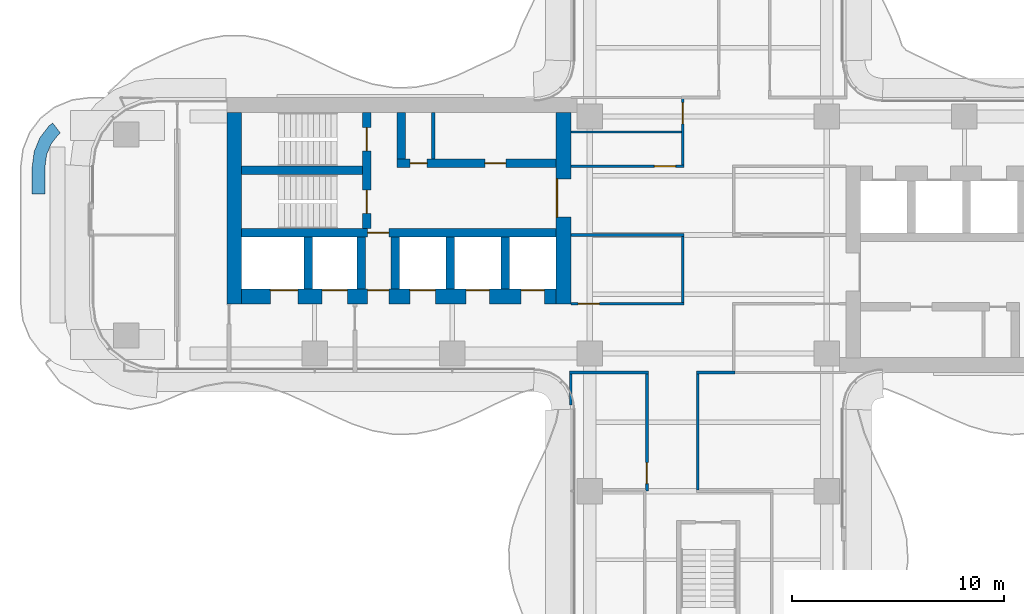
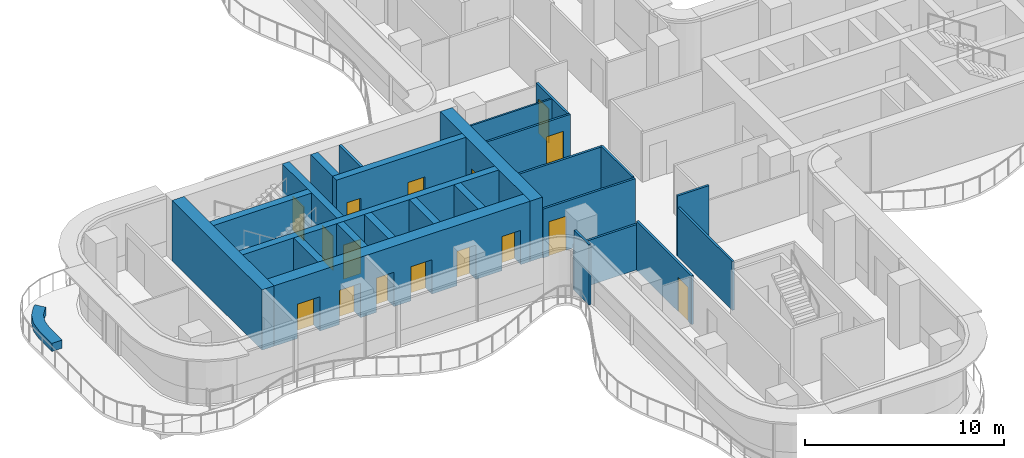
# One storey, part 12 of 17: 26 walls, 16 doors, 16 openings.
"""IFC4 building model written with IfcOpenShell, lengths in metres."""

from ifc_helpers import new_model, si_unit, direction, frame, frame_2d, origin, place, context, subcontext, project, spatial, polyline, rectangle, outline, extrude, source, transform, mapped, material, layer, layer_set, type_object, element, fill, save


model = new_model("IFC4")

# Units and contexts
model_context = context("Model", 3, precision=1e-05, world=origin(), true_north=direction((0.0, 1.0)))
body_context = subcontext(model_context, "Body", "Model", "MODEL_VIEW")
ifc_project = project(units=[si_unit("LENGTHUNIT", "METRE"), si_unit("AREAUNIT", "SQUARE_METRE"), si_unit("VOLUMEUNIT", "CUBIC_METRE"), si_unit("PLANEANGLEUNIT", "RADIAN"), si_unit("MASSUNIT", "GRAM", prefix="KILO")], contexts=[model_context])

# Site, building, storey
site_placement = place(None, origin())
site = spatial("IfcSite", under=ifc_project, at=site_placement, CompositionType="ELEMENT")
building_placement = place(site_placement, origin())
building = spatial("IfcBuilding", under=site, at=building_placement, Name="Trellis Farm Tower", CompositionType="ELEMENT")
storey_placement = place(building_placement, frame((0.0, 0.0, 162.0)))
storey = spatial("IfcBuildingStorey", under=building, at=storey_placement, Name="L34", CompositionType="ELEMENT", Elevation=162.0)

# Wall
ifc_material_1 = material(Name="Sandstone faced masonry planter", Category="masonry")
ifc_layer_1 = layer(ifc_material_1, 0.60009765625)
ifc_layer_set_1 = layer_set([ifc_layer_1], Name="PLANTER BED 600")
wall_type_1 = type_object("IfcWallType", Name="PLANTER BED 600", PredefinedType="USERDEFINED", material=ifc_layer_set_1)
wall_1_placement = place(storey_placement, origin())
element("IfcWall", 1, at=wall_1_placement, inside=storey, type_object=wall_type_1, Name="PLANTER bed", ObjectType="PLANTER", PredefinedType="USERDEFINED", context=body_context, shape_type="SweptSolid", body=[
    extrude(outline(polyline([(-31.853515625, 3.947509765625), (-31.584228515625, 4.59765625), (-31.15576171875, 5.15576171875), (-30.980224609375, 5.29052734375), (-30.614990234375, 4.814697265625), (-30.727783203125, 4.727783203125), (-31.06005859375, 4.294921875), (-31.268798828125, 3.791015625), (-31.35009765625, 3.174560546875), (-31.35009765625, 1.929931640625), (-31.949951171875, 1.929931640625), (-31.949951171875, 3.214111328125), (-31.853515625, 3.947509765625)])), origin(), (0.0, 0.0, 1.0), 0.5),
])

# Wall, opening, door
ifc_material_2 = material(Name="Concrete C70/85", Category="concrete")
ifc_layer_2 = layer(ifc_material_2, 0.699951171875)
ifc_layer_set_2 = layer_set([ifc_layer_2], Name="CORE OUTER WALL 700 CONCRETE C70/85")
wall_type_2 = type_object("IfcWallType", Name="CORE OUTER WALL 700 CONCRETE C70/85", PredefinedType="SHEAR", material=ifc_layer_set_2)
shared_shape_1 = source(origin(), body_context, "Body", "SweptSolid", [
    extrude(rectangle(XDim=9.050048828125, YDim=0.699951171875, at=frame_2d((4.52490234375, 0.0))), origin(), (0.0, 0.0, 1.0), 3.699951171875),
])
wall_2_placement = place(storey_placement, frame((-6.85009765625, 5.800048828125, 0.0), z_axis=(0.0, 0.0, 1.0), x_axis=(0.0, -1.0, 0.0)))
wall_2 = element("IfcWall", 2, at=wall_2_placement, inside=storey, type_object=wall_type_2, Name="Core wall", PredefinedType="SHEAR", context=body_context, shape_type="MappedRepresentation", body=[
    mapped(shared_shape_1, transform((0.0, 0.0, 0.0))),
])
shared_shape_2 = source(origin(), body_context, "Body", "SweptSolid", [
    extrude(rectangle(XDim=1.800048828125, YDim=2.10009765625, at=frame_2d((0.89990234375, 1.050048828125))), frame((0.0, 0.360107421875, 0.0), z_axis=(0.0, -1.0, 0.0), x_axis=(1.0, 0.0, 0.0)), (0.0, 0.0, 1.0), 0.72021484375),
])
opening_1_placement = place(wall_2_placement, frame((3.14990234375, 0.0, 0.0)))
opening_1 = element("IfcOpeningElement", 3, at=opening_1_placement, cuts=wall_2, Name="Opening DC87", PredefinedType="OPENING", context=body_context, shape_type="MappedRepresentation", body=[
    mapped(shared_shape_2, transform((0.0, 0.0, 0.0))),
])
ifc_material_3 = material(Name="Steel", Category="steel")
door_type_1 = type_object("IfcDoorType", Name="CORE FIRE DOOR DOUBLE 1800 X 2100", OperationType="DOUBLE_DOOR_SINGLE_SWING", PredefinedType="DOOR", material=ifc_material_3)
shared_shape_3 = source(origin(), body_context, "Body", "SweptSolid", [
    extrude(rectangle(XDim=1.800048828125, YDim=2.10009765625, at=frame_2d((0.89990234375, 1.050048828125))), frame((0.0, -0.27490234375, 0.0), z_axis=(0.0, -1.0, 0.0), x_axis=(1.0, 0.0, 0.0)), (0.0, 0.0, 1.0), 0.050048828125),
])
door_1_placement = place(opening_1_placement, origin())
door_1 = element("IfcDoor", 4, at=door_1_placement, inside=storey, type_object=door_type_1, Name="Core door", OperationType="DOUBLE_DOOR_SINGLE_SWING", OverallHeight=2.10009765625, OverallWidth=1.800048828125, PredefinedType="DOOR", context=body_context, shape_type="MappedRepresentation", body=[
    mapped(shared_shape_3, transform((0.0, 0.0, 0.0))),
])
fill(opening_1, door_1)

# Walls
wall_3_placement = place(storey_placement, frame((-22.39990234375, 5.800048828125, 0.0), z_axis=(0.0, 0.0, 1.0), x_axis=(0.0, -1.0, 0.0)))
element("IfcWall", 5, at=wall_3_placement, inside=storey, type_object=wall_type_2, Name="Core wall", PredefinedType="SHEAR", context=body_context, shape_type="MappedRepresentation", body=[
    mapped(shared_shape_1, transform((0.0, 0.0, 0.0))),
])
ifc_layer_3 = layer(ifc_material_2, 0.39990234375)
ifc_layer_set_3 = layer_set([ifc_layer_3], Name="CORE INNER WALL 400 CONCRETE C70/85")
wall_type_3 = type_object("IfcWallType", Name="CORE INNER WALL 400 CONCRETE C70/85", PredefinedType="SHEAR", material=ifc_layer_set_3)
shared_shape_4 = source(origin(), body_context, "Body", "SweptSolid", [
    extrude(rectangle(XDim=2.449951171875, YDim=0.39990234375, at=frame_2d((1.22509765625, 0.0))), origin(), (0.0, 0.0, 1.0), 3.699951171875),
])
for number, where, z_axis, x_axis, name in (
    (6, (-9.60009765625, -0.10009765625, 0.0), (0.0, 0.0, 1.0), (0.0, -1.0, 0.0), "Core wall"),
    (7, (-12.199951171875, -0.10009765625, 0.0), (0.0, 0.0, 1.0), (0.0, -1.0, 0.0), "Core wall"),
    (8, (-14.800048828125, -0.10009765625, 0.0), (0.0, 0.0, 1.0), (0.0, -1.0, 0.0), "Core wall"),
    (9, (-16.39990234375, -0.10009765625, 0.0), (0.0, 0.0, 1.0), (0.0, -1.0, 0.0), "Core wall"),
    (10, (-18.89990234375, -0.10009765625, 0.0), (0.0, 0.0, 1.0), (0.0, -1.0, 0.0), "Core wall"),
):
    element("IfcWall", number, at=place(storey_placement, frame(where, z_axis=z_axis, x_axis=x_axis)), inside=storey, type_object=wall_type_3, Name=name, PredefinedType="SHEAR", context=body_context, shape_type="MappedRepresentation", body=[
        mapped(shared_shape_4, transform((0.0, 0.0, 0.0))),
    ])

# Wall, openings, doors
shared_shape_5 = source(origin(), body_context, "Body", "SweptSolid", [
    extrude(rectangle(XDim=14.85009765625, YDim=0.699951171875, at=frame_2d((7.425048828125, 0.0))), origin(), (0.0, 0.0, 1.0), 3.699951171875),
])
wall_4_placement = place(storey_placement, frame((-7.199951171875, -2.89990234375, 0.0), z_axis=(0.0, 0.0, 1.0), x_axis=(-1.0, 0.0, 0.0)))
wall_4 = element("IfcWall", 11, at=wall_4_placement, inside=storey, type_object=wall_type_2, Name="Core wall", PredefinedType="SHEAR", context=body_context, shape_type="MappedRepresentation", body=[
    mapped(shared_shape_5, transform((0.0, 0.0, 0.0))),
])
shared_shape_6 = source(origin(), body_context, "Body", "SweptSolid", [
    extrude(rectangle(XDim=1.10009765625, YDim=2.10009765625, at=frame_2d((0.550048828125, 1.050048828125))), frame((0.0, 0.360107421875, 0.0), z_axis=(0.0, -1.0, 0.0), x_axis=(1.0, 0.0, 0.0)), (0.0, 0.0, 1.0), 0.72021484375),
])
opening_2_placement = place(wall_4_placement, frame((0.550048828125, 0.0, 0.0)))
opening_2 = element("IfcOpeningElement", 12, at=opening_2_placement, cuts=wall_4, Name="Opening LD12", PredefinedType="OPENING", context=body_context, shape_type="MappedRepresentation", body=[
    mapped(shared_shape_6, transform((0.0, 0.0, 0.0))),
])
opening_3_placement = place(wall_4_placement, frame((3.14990234375, 0.0, 0.0)))
opening_3 = element("IfcOpeningElement", 13, at=opening_3_placement, cuts=wall_4, Name="Opening LD13", PredefinedType="OPENING", context=body_context, shape_type="MappedRepresentation", body=[
    mapped(shared_shape_6, transform((0.0, 0.0, 0.0))),
])
shared_shape_7 = source(origin(), body_context, "Body", "SweptSolid", [
    extrude(rectangle(XDim=1.199951171875, YDim=2.10009765625, at=frame_2d((0.60009765625, 1.050048828125))), frame((0.0, 0.360107421875, 0.0), z_axis=(0.0, -1.0, 0.0), x_axis=(1.0, 0.0, 0.0)), (0.0, 0.0, 1.0), 0.72021484375),
])
opening_4_placement = place(wall_4_placement, frame((5.699951171875, 0.0, 0.0)))
opening_4 = element("IfcOpeningElement", 14, at=opening_4_placement, cuts=wall_4, Name="Opening LD14", PredefinedType="OPENING", context=body_context, shape_type="MappedRepresentation", body=[
    mapped(shared_shape_7, transform((0.0, 0.0, 0.0))),
])
shared_shape_8 = source(origin(), body_context, "Body", "SweptSolid", [
    extrude(rectangle(XDim=1.300048828125, YDim=2.10009765625, at=frame_2d((0.64990234375, 1.050048828125))), frame((0.0, 0.360107421875, 0.0), z_axis=(0.0, -1.0, 0.0), x_axis=(1.0, 0.0, 0.0)), (0.0, 0.0, 1.0), 0.72021484375),
])
opening_5_placement = place(wall_4_placement, frame((12.199951171875, 0.0, 0.0)))
opening_5 = element("IfcOpeningElement", 15, at=opening_5_placement, cuts=wall_4, Name="Opening LD15", PredefinedType="OPENING", context=body_context, shape_type="MappedRepresentation", body=[
    mapped(shared_shape_8, transform((0.0, 0.0, 0.0))),
])
opening_6_placement = place(wall_4_placement, frame((9.85009765625, 0.0, 0.0)))
opening_6 = element("IfcOpeningElement", 16, at=opening_6_placement, cuts=wall_4, Name="Opening LD16", PredefinedType="OPENING", context=body_context, shape_type="MappedRepresentation", body=[
    mapped(shared_shape_7, transform((0.0, 0.0, 0.0))),
])
shared_shape_9 = source(origin(), body_context, "Body", "SweptSolid", [
    extrude(rectangle(XDim=1.0, YDim=2.10009765625, at=frame_2d((0.5, 1.050048828125))), frame((0.0, 0.360107421875, 0.0), z_axis=(0.0, -1.0, 0.0), x_axis=(1.0, 0.0, 0.0)), (0.0, 0.0, 1.0), 0.72021484375),
])
opening_7_placement = place(wall_4_placement, frame((7.89990234375, 0.0, 0.0)))
opening_7 = element("IfcOpeningElement", 17, at=opening_7_placement, cuts=wall_4, Name="Opening DC92", PredefinedType="OPENING", context=body_context, shape_type="MappedRepresentation", body=[
    mapped(shared_shape_9, transform((0.0, 0.0, 0.0))),
])
door_type_2 = type_object("IfcDoorType", Name="CORE FIRE DOOR 1000 X 2100", OperationType="NOTDEFINED", PredefinedType="DOOR", material=ifc_material_3)
shared_shape_10 = source(origin(), body_context, "Body", "SweptSolid", [
    extrude(rectangle(XDim=1.0, YDim=2.10009765625, at=frame_2d((0.5, 1.050048828125))), frame((0.0, -0.27490234375, 0.0), z_axis=(0.0, -1.0, 0.0), x_axis=(1.0, 0.0, 0.0)), (0.0, 0.0, 1.0), 0.050048828125),
])
door_2_placement = place(opening_7_placement, origin())
door_2 = element("IfcDoor", 18, at=door_2_placement, inside=storey, type_object=door_type_2, Name="Core door", OperationType="SINGLE_SWING_LEFT", OverallHeight=2.10009765625, OverallWidth=1.0, PredefinedType="DOOR", context=body_context, shape_type="MappedRepresentation", body=[
    mapped(shared_shape_10, transform((0.0, 0.0, 0.0))),
])
fill(opening_7, door_2)
ifc_material_4 = material(Name="Stainless steel", Category="steel")
door_type_3 = type_object("IfcDoorType", Name="LIFT LANDING DOOR 1300 X 2100", OperationType="DOUBLE_DOOR_SLIDING", PredefinedType="DOOR", material=ifc_material_4)
shared_shape_11 = source(origin(), body_context, "Body", "SweptSolid", [
    extrude(rectangle(XDim=1.300048828125, YDim=2.10009765625, at=frame_2d((0.64990234375, 1.050048828125))), frame((0.0, -0.27490234375, 0.0), z_axis=(0.0, -1.0, 0.0), x_axis=(1.0, 0.0, 0.0)), (0.0, 0.0, 1.0), 0.050048828125),
])
door_3_placement = place(opening_5_placement, origin())
door_3 = element("IfcDoor", 19, at=door_3_placement, inside=storey, type_object=door_type_3, Name="Lift landing door", OperationType="DOUBLE_DOOR_SLIDING", OverallHeight=2.10009765625, OverallWidth=1.300048828125, PredefinedType="DOOR", context=body_context, shape_type="MappedRepresentation", body=[
    mapped(shared_shape_11, transform((0.0, 0.0, 0.0))),
])
fill(opening_5, door_3)
door_type_4 = type_object("IfcDoorType", Name="LIFT LANDING DOOR 1200 X 2100", OperationType="DOUBLE_DOOR_SLIDING", PredefinedType="DOOR", material=ifc_material_4)
shared_shape_12 = source(origin(), body_context, "Body", "SweptSolid", [
    extrude(rectangle(XDim=1.199951171875, YDim=2.10009765625, at=frame_2d((0.60009765625, 1.050048828125))), frame((0.0, -0.27490234375, 0.0), z_axis=(0.0, -1.0, 0.0), x_axis=(1.0, 0.0, 0.0)), (0.0, 0.0, 1.0), 0.050048828125),
])
door_4_placement = place(opening_4_placement, origin())
door_4 = element("IfcDoor", 20, at=door_4_placement, inside=storey, type_object=door_type_4, Name="Lift landing door", OperationType="DOUBLE_DOOR_SLIDING", OverallHeight=2.10009765625, OverallWidth=1.199951171875, PredefinedType="DOOR", context=body_context, shape_type="MappedRepresentation", body=[
    mapped(shared_shape_12, transform((0.0, 0.0, 0.0))),
])
fill(opening_4, door_4)
door_5_placement = place(opening_6_placement, origin())
door_5 = element("IfcDoor", 21, at=door_5_placement, inside=storey, type_object=door_type_4, Name="Lift landing door", OperationType="DOUBLE_DOOR_SLIDING", OverallHeight=2.10009765625, OverallWidth=1.199951171875, PredefinedType="DOOR", context=body_context, shape_type="MappedRepresentation", body=[
    mapped(shared_shape_12, transform((0.0, 0.0, 0.0))),
])
fill(opening_6, door_5)
door_type_5 = type_object("IfcDoorType", Name="LIFT LANDING DOOR 1100 X 2100", OperationType="DOUBLE_DOOR_SLIDING", PredefinedType="DOOR", material=ifc_material_4)
shared_shape_13 = source(origin(), body_context, "Body", "SweptSolid", [
    extrude(rectangle(XDim=1.10009765625, YDim=2.10009765625, at=frame_2d((0.550048828125, 1.050048828125))), frame((0.0, -0.27490234375, 0.0), z_axis=(0.0, -1.0, 0.0), x_axis=(1.0, 0.0, 0.0)), (0.0, 0.0, 1.0), 0.050048828125),
])
door_6_placement = place(opening_2_placement, origin())
door_6 = element("IfcDoor", 22, at=door_6_placement, inside=storey, type_object=door_type_5, Name="Lift landing door", OperationType="DOUBLE_DOOR_SLIDING", OverallHeight=2.10009765625, OverallWidth=1.10009765625, PredefinedType="DOOR", context=body_context, shape_type="MappedRepresentation", body=[
    mapped(shared_shape_13, transform((0.0, 0.0, 0.0))),
])
fill(opening_2, door_6)
door_7_placement = place(opening_3_placement, origin())
door_7 = element("IfcDoor", 23, at=door_7_placement, inside=storey, type_object=door_type_5, Name="Lift landing door", OperationType="DOUBLE_DOOR_SLIDING", OverallHeight=2.10009765625, OverallWidth=1.10009765625, PredefinedType="DOOR", context=body_context, shape_type="MappedRepresentation", body=[
    mapped(shared_shape_13, transform((0.0, 0.0, 0.0))),
])
fill(opening_3, door_7)

shared_shape_14 = source(origin(), body_context, "Body", "SweptSolid", [
    extrude(rectangle(XDim=7.5, YDim=0.39990234375, at=frame_2d((3.75, 0.0))), origin(), (0.0, 0.0, 1.0), 3.699951171875),
])
wall_5_placement = place(storey_placement, frame((-7.199951171875, 3.39990234375, 0.0), z_axis=(0.0, 0.0, 1.0), x_axis=(-1.0, 0.0, 0.0)))
wall_5 = element("IfcWall", 24, at=wall_5_placement, inside=storey, type_object=wall_type_3, Name="Core wall", PredefinedType="SHEAR", context=body_context, shape_type="MappedRepresentation", body=[
    mapped(shared_shape_14, transform((0.0, 0.0, 0.0))),
])
shared_shape_15 = source(origin(), body_context, "Body", "SweptSolid", [
    extrude(rectangle(XDim=1.0, YDim=2.10009765625, at=frame_2d((0.5, 1.050048828125))), frame((0.0, 0.2099609375, 0.0), z_axis=(0.0, -1.0, 0.0), x_axis=(1.0, 0.0, 0.0)), (0.0, 0.0, 1.0), 0.419921875),
])
opening_8_placement = place(wall_5_placement, frame((2.362548828125, 0.0, 0.0)))
opening_8 = element("IfcOpeningElement", 25, at=opening_8_placement, cuts=wall_5, Name="Opening DC141", PredefinedType="OPENING", context=body_context, shape_type="MappedRepresentation", body=[
    mapped(shared_shape_15, transform((0.0, 0.0, 0.0))),
])
shared_shape_16 = source(origin(), body_context, "Body", "SweptSolid", [
    extrude(rectangle(XDim=0.800048828125, YDim=2.10009765625, at=frame_2d((0.39990234375, 1.050048828125))), frame((0.0, 0.2099609375, 0.0), z_axis=(0.0, -1.0, 0.0), x_axis=(1.0, 0.0, 0.0)), (0.0, 0.0, 1.0), 0.419921875),
])
opening_9_placement = place(wall_5_placement, frame((6.08740234375, 0.0, 0.0)))
opening_9 = element("IfcOpeningElement", 26, at=opening_9_placement, cuts=wall_5, Name="Opening DC144", PredefinedType="OPENING", context=body_context, shape_type="MappedRepresentation", body=[
    mapped(shared_shape_16, transform((0.0, 0.0, 0.0))),
])
shared_shape_17 = source(origin(), body_context, "Body", "SweptSolid", [
    extrude(rectangle(XDim=1.0, YDim=2.10009765625, at=frame_2d((0.5, 1.050048828125))), frame((0.0, 0.02490234375, 0.0), z_axis=(0.0, -1.0, 0.0), x_axis=(1.0, 0.0, 0.0)), (0.0, 0.0, 1.0), 0.050048828125),
])
door_8_placement = place(opening_8_placement, origin())
door_8 = element("IfcDoor", 27, at=door_8_placement, inside=storey, type_object=door_type_2, Name="Core door", OperationType="SINGLE_SWING_LEFT", OverallHeight=2.10009765625, OverallWidth=1.0, PredefinedType="DOOR", context=body_context, shape_type="MappedRepresentation", body=[
    mapped(shared_shape_17, transform((0.0, 0.0, 0.0))),
])
fill(opening_8, door_8)
door_type_6 = type_object("IfcDoorType", Name="CORE FIRE DOOR 800 X 2100", OperationType="NOTDEFINED", PredefinedType="DOOR", material=ifc_material_3)
shared_shape_18 = source(origin(), body_context, "Body", "SweptSolid", [
    extrude(rectangle(XDim=0.800048828125, YDim=2.10009765625, at=frame_2d((0.39990234375, 1.050048828125))), frame((0.0, 0.02490234375, 0.0), z_axis=(0.0, -1.0, 0.0), x_axis=(1.0, 0.0, 0.0)), (0.0, 0.0, 1.0), 0.050048828125),
])
door_9_placement = place(opening_9_placement, origin())
door_9 = element("IfcDoor", 28, at=door_9_placement, inside=storey, type_object=door_type_6, Name="Core door", OperationType="SINGLE_SWING_RIGHT", OverallHeight=2.10009765625, OverallWidth=0.800048828125, PredefinedType="DOOR", context=body_context, shape_type="MappedRepresentation", body=[
    mapped(shared_shape_18, transform((0.0, 0.0, 0.0))),
])
fill(opening_9, door_9)

# Wall, opening, door
shared_shape_19 = source(origin(), body_context, "Body", "SweptSolid", [
    extrude(rectangle(XDim=14.85009765625, YDim=0.39990234375, at=frame_2d((7.425048828125, 0.0))), origin(), (0.0, 0.0, 1.0), 3.699951171875),
])
wall_6_placement = place(storey_placement, frame((-7.199951171875, 0.10009765625, 0.0), z_axis=(0.0, 0.0, 1.0), x_axis=(-1.0, 0.0, 0.0)))
wall_6 = element("IfcWall", 29, at=wall_6_placement, inside=storey, type_object=wall_type_3, Name="Core wall", PredefinedType="SHEAR", context=body_context, shape_type="MappedRepresentation", body=[
    mapped(shared_shape_19, transform((0.0, 0.0, 0.0))),
])
opening_10_placement = place(wall_6_placement, frame((7.89990234375, 0.0, 0.0)))
opening_10 = element("IfcOpeningElement", 30, at=opening_10_placement, cuts=wall_6, Name="Opening DC91", PredefinedType="OPENING", context=body_context, shape_type="MappedRepresentation", body=[
    mapped(shared_shape_15, transform((0.0, 0.0, 0.0))),
])
door_10_placement = place(opening_10_placement, origin())
door_10 = element("IfcDoor", 31, at=door_10_placement, inside=storey, type_object=door_type_2, Name="Core door", OperationType="SINGLE_SWING_RIGHT", OverallHeight=2.10009765625, OverallWidth=1.0, PredefinedType="DOOR", context=body_context, shape_type="MappedRepresentation", body=[
    mapped(shared_shape_17, transform((0.0, 0.0, 0.0))),
])
fill(opening_10, door_10)

# Wall, openings, doors
shared_shape_20 = source(origin(), body_context, "Body", "SweptSolid", [
    extrude(rectangle(XDim=5.5, YDim=0.39990234375, at=frame_2d((2.75, 0.0))), origin(), (0.0, 0.0, 1.0), 3.699951171875),
])
wall_7_placement = place(storey_placement, frame((-16.14990234375, 5.800048828125, 0.0), z_axis=(0.0, 0.0, 1.0), x_axis=(0.0, -1.0, 0.0)))
wall_7 = element("IfcWall", 32, at=wall_7_placement, inside=storey, type_object=wall_type_3, Name="Core wall", PredefinedType="SHEAR", context=body_context, shape_type="MappedRepresentation", body=[
    mapped(shared_shape_20, transform((0.0, 0.0, 0.0))),
])
shared_shape_21 = source(origin(), body_context, "Body", "SweptSolid", [
    extrude(rectangle(XDim=1.10009765625, YDim=2.10009765625, at=frame_2d((0.550048828125, 1.050048828125))), frame((0.0, 0.2099609375, 0.0), z_axis=(0.0, -1.0, 0.0), x_axis=(1.0, 0.0, 0.0)), (0.0, 0.0, 1.0), 0.419921875),
])
opening_11_placement = place(wall_7_placement, frame((0.72509765625, 0.0, 0.0)))
opening_11 = element("IfcOpeningElement", 33, at=opening_11_placement, cuts=wall_7, Name="Opening DC88", PredefinedType="OPENING", context=body_context, shape_type="MappedRepresentation", body=[
    mapped(shared_shape_21, transform((0.0, 0.0, 0.0))),
])
opening_12_placement = place(wall_7_placement, frame((3.675048828125, 0.0, 0.0)))
opening_12 = element("IfcOpeningElement", 34, at=opening_12_placement, cuts=wall_7, Name="Opening DC89", PredefinedType="OPENING", context=body_context, shape_type="MappedRepresentation", body=[
    mapped(shared_shape_21, transform((0.0, 0.0, 0.0))),
])
door_type_7 = type_object("IfcDoorType", Name="CORE FIRE DOOR 1100 X 2100", OperationType="NOTDEFINED", PredefinedType="DOOR", material=ifc_material_3)
shared_shape_22 = source(origin(), body_context, "Body", "SweptSolid", [
    extrude(rectangle(XDim=1.10009765625, YDim=2.10009765625, at=frame_2d((0.550048828125, 1.050048828125))), frame((0.0, 0.02490234375, 0.0), z_axis=(0.0, -1.0, 0.0), x_axis=(1.0, 0.0, 0.0)), (0.0, 0.0, 1.0), 0.050048828125),
])
door_11_placement = place(opening_11_placement, origin())
door_11 = element("IfcDoor", 35, at=door_11_placement, inside=storey, type_object=door_type_7, Name="Core door", OperationType="SINGLE_SWING_RIGHT", OverallHeight=2.10009765625, OverallWidth=1.10009765625, PredefinedType="DOOR", context=body_context, shape_type="MappedRepresentation", body=[
    mapped(shared_shape_22, transform((0.0, 0.0, 0.0))),
])
fill(opening_11, door_11)
door_12_placement = place(opening_12_placement, origin())
door_12 = element("IfcDoor", 36, at=door_12_placement, inside=storey, type_object=door_type_7, Name="Core door", OperationType="SINGLE_SWING_LEFT", OverallHeight=2.10009765625, OverallWidth=1.10009765625, PredefinedType="DOOR", context=body_context, shape_type="MappedRepresentation", body=[
    mapped(shared_shape_22, transform((0.0, 0.0, 0.0))),
])
fill(opening_12, door_12)

# Walls
shared_shape_23 = source(origin(), body_context, "Body", "SweptSolid", [
    extrude(rectangle(XDim=5.699951171875, YDim=0.39990234375, at=frame_2d((2.85009765625, 0.0))), origin(), (0.0, 0.0, 1.0), 3.699951171875),
])
wall_8_placement = place(storey_placement, frame((-16.35009765625, 3.050048828125, 0.0), z_axis=(0.0, 0.0, 1.0), x_axis=(-1.0, 0.0, 0.0)))
element("IfcWall", 37, at=wall_8_placement, inside=storey, type_object=wall_type_3, Name="Core wall", PredefinedType="SHEAR", context=body_context, shape_type="MappedRepresentation", body=[
    mapped(shared_shape_23, transform((0.0, 0.0, 0.0))),
])
shared_shape_24 = source(origin(), body_context, "Body", "SweptSolid", [
    extrude(rectangle(XDim=2.199951171875, YDim=0.39990234375, at=frame_2d((1.10009765625, 0.0))), origin(), (0.0, 0.0, 1.0), 3.699951171875),
])
wall_9_placement = place(storey_placement, frame((-14.5, 5.800048828125, 0.0), z_axis=(0.0, 0.0, 1.0), x_axis=(0.0, -1.0, 0.0)))
element("IfcWall", 38, at=wall_9_placement, inside=storey, type_object=wall_type_3, Name="Core wall", PredefinedType="SHEAR", context=body_context, shape_type="MappedRepresentation", body=[
    mapped(shared_shape_24, transform((0.0, 0.0, 0.0))),
])
ifc_material_5 = material(Name="Masonry blockwork", Category="masonry")
ifc_layer_4 = layer(ifc_material_5, 0.14990234375)
ifc_layer_set_4 = layer_set([ifc_layer_4], Name="CORE PARTITION 150 BLOCKWORK")
wall_type_4 = type_object("IfcWallType", Name="CORE PARTITION 150 BLOCKWORK", PredefinedType="PARTITIONING", material=ifc_layer_set_4)
shared_shape_25 = source(origin(), body_context, "Body", "SweptSolid", [
    extrude(rectangle(XDim=2.199951171875, YDim=0.14990234375, at=frame_2d((1.10009765625, 0.0))), origin(), (0.0, 0.0, 1.0), 3.699951171875),
])
wall_10_placement = place(storey_placement, frame((-13.0, 5.800048828125, 0.0), z_axis=(0.0, 0.0, 1.0), x_axis=(0.0, -1.0, 0.0)))
element("IfcWall", 39, at=wall_10_placement, inside=storey, type_object=wall_type_4, Name="Core room partition", PredefinedType="PARTITIONING", context=body_context, shape_type="MappedRepresentation", body=[
    mapped(shared_shape_25, transform((0.0, 0.0, 0.0))),
])
ifc_material_6 = material(Name="Plasterboard on steel studs, mineral wool", Category="steel")
ifc_layer_5 = layer(ifc_material_6, 0.125)
ifc_layer_set_5 = layer_set([ifc_layer_5], Name="PARTITION 125 STUD EI 60")
wall_type_5 = type_object("IfcWallType", Name="PARTITION 125 STUD EI 60", PredefinedType="PARTITIONING", material=ifc_layer_set_5)
shared_shape_26 = source(origin(), body_context, "Body", "SweptSolid", [
    extrude(rectangle(XDim=5.47509765625, YDim=0.125, at=frame_2d((2.737548828125, 0.0))), origin(), (0.0, 0.0, 1.0), 2.99658203125),
])
wall_11_placement = place(storey_placement, frame((-0.5, -6.5625, 0.0), z_axis=(0.0, 0.0, 1.0), x_axis=(0.0, -1.0, 0.0)))
element("IfcWall", 40, at=wall_11_placement, inside=storey, type_object=wall_type_5, Name="Partition PW1", PredefinedType="PARTITIONING", context=body_context, shape_type="MappedRepresentation", body=[
    mapped(shared_shape_26, transform((0.0, 0.0, 0.0))),
])

# Wall, opening, door
shared_shape_27 = source(origin(), body_context, "Body", "SweptSolid", [
    extrude(rectangle(XDim=3.137451171875, YDim=0.125, at=frame_2d((1.56884765625, 0.0))), origin(), (0.0, 0.0, 1.0), 2.99658203125),
])
wall_12_placement = place(storey_placement, frame((-1.199951171875, 6.449951171875, 0.0), z_axis=(0.0, 0.0, 1.0), x_axis=(0.0, -1.0, 0.0)))
wall_12 = element("IfcWall", 41, at=wall_12_placement, inside=storey, type_object=wall_type_5, Name="Partition PW1", PredefinedType="PARTITIONING", context=body_context, shape_type="MappedRepresentation", body=[
    mapped(shared_shape_27, transform((0.0, 0.0, 0.0))),
])
shared_shape_28 = source(origin(), body_context, "Body", "SweptSolid", [
    extrude(rectangle(XDim=1.0, YDim=2.10009765625, at=frame_2d((0.5, 1.050048828125))), frame((0.0, 0.072509765625, 0.0), z_axis=(0.0, -1.0, 0.0), x_axis=(1.0, 0.0, 0.0)), (0.0, 0.0, 1.0), 0.14501953125),
])
opening_13_placement = place(wall_12_placement, frame((0.199951171875, 0.0, 0.0)))
opening_13 = element("IfcOpeningElement", 42, at=opening_13_placement, cuts=wall_12, Name="Opening D108", PredefinedType="OPENING", context=body_context, shape_type="MappedRepresentation", body=[
    mapped(shared_shape_28, transform((0.0, 0.0, 0.0))),
])
ifc_material_7 = material(Name="Fire-rated timber door leaf in a hollow metal frame", Category="wood")
door_type_8 = type_object("IfcDoorType", Name="DOOR 1000x2100 FD30S", OperationType="NOTDEFINED", PredefinedType="DOOR", material=ifc_material_7)
door_13_placement = place(opening_13_placement, origin())
door_13 = element("IfcDoor", 43, at=door_13_placement, inside=storey, type_object=door_type_8, Name="Door D108", OperationType="SINGLE_SWING_LEFT", OverallHeight=2.10009765625, OverallWidth=1.0, PredefinedType="DOOR", context=body_context, shape_type="MappedRepresentation", body=[
    mapped(shared_shape_17, transform((0.0, 0.0, 0.0))),
])
fill(opening_13, door_13)

# Wall
shared_shape_29 = source(origin(), body_context, "Body", "SweptSolid", [
    extrude(rectangle(XDim=3.125, YDim=0.125, at=frame_2d((1.5625, 0.0))), origin(), (0.0, 0.0, 1.0), 3.06787109375),
])
wall_13_placement = place(storey_placement, frame((-1.199951171875, -0.0625, 0.0), z_axis=(0.0, 0.0, 1.0), x_axis=(0.0, -1.0, 0.0)))
element("IfcWall", 44, at=wall_13_placement, inside=storey, type_object=wall_type_5, Name="Partition PW1", PredefinedType="PARTITIONING", context=body_context, shape_type="MappedRepresentation", body=[
    mapped(shared_shape_29, transform((0.0, 0.0, 0.0))),
])

# Wall, opening, door
shared_shape_30 = source(origin(), body_context, "Body", "SweptSolid", [
    extrude(rectangle(XDim=5.53759765625, YDim=0.125, at=frame_2d((2.768798828125, 0.0))), origin(), (0.0, 0.0, 1.0), 2.99658203125),
])
wall_14_placement = place(storey_placement, frame((-2.89990234375, -12.10009765625, 0.0), z_axis=(0.0, 0.0, 1.0), x_axis=(0.0, 1.0, 0.0)))
wall_14 = element("IfcWall", 45, at=wall_14_placement, inside=storey, type_object=wall_type_5, Name="Partition PW1", PredefinedType="PARTITIONING", context=body_context, shape_type="MappedRepresentation", body=[
    mapped(shared_shape_30, transform((0.0, 0.0, 0.0))),
])
opening_14_placement = place(wall_14_placement, frame((0.35009765625, 0.0, 0.0)))
opening_14 = element("IfcOpeningElement", 46, at=opening_14_placement, cuts=wall_14, Name="Opening D103", PredefinedType="OPENING", context=body_context, shape_type="MappedRepresentation", body=[
    mapped(shared_shape_28, transform((0.0, 0.0, 0.0))),
])
door_14_placement = place(opening_14_placement, origin())
door_14 = element("IfcDoor", 47, at=door_14_placement, inside=storey, type_object=door_type_8, Name="Door D103", OperationType="SINGLE_SWING_LEFT", OverallHeight=2.10009765625, OverallWidth=1.0, PredefinedType="DOOR", context=body_context, shape_type="MappedRepresentation", body=[
    mapped(shared_shape_17, transform((0.0, 0.0, 0.0))),
])
fill(opening_14, door_14)

# Wall
shared_shape_31 = source(origin(), body_context, "Body", "SweptSolid", [
    extrude(rectangle(XDim=1.468994140625, YDim=0.125, at=frame_2d((0.734375, 0.0))), origin(), (0.0, 0.0, 1.0), 3.699951171875),
])
wall_15_placement = place(storey_placement, frame((-6.5, -6.5625, 0.0), z_axis=(0.0, 0.0, 1.0), x_axis=(0.0, -1.0, 0.0)))
element("IfcWall", 48, at=wall_15_placement, inside=storey, type_object=wall_type_5, Name="Partition PW1", PredefinedType="PARTITIONING", context=body_context, shape_type="MappedRepresentation", body=[
    mapped(shared_shape_31, transform((0.0, 0.0, 0.0))),
])

# Wall, opening, door
shared_shape_32 = source(origin(), body_context, "Body", "SweptSolid", [
    extrude(rectangle(XDim=5.362548828125, YDim=0.125, at=frame_2d((2.68115234375, 0.0))), origin(), (0.0, 0.0, 1.0), 2.99658203125),
])
wall_16_placement = place(storey_placement, frame((-1.137451171875, -3.25, 0.0), z_axis=(0.0, 0.0, 1.0), x_axis=(-1.0, 0.0, 0.0)))
wall_16 = element("IfcWall", 49, at=wall_16_placement, inside=storey, type_object=wall_type_5, Name="Partition PW1", PredefinedType="PARTITIONING", context=body_context, shape_type="MappedRepresentation", body=[
    mapped(shared_shape_32, transform((0.0, 0.0, 0.0))),
])
opening_15_placement = place(wall_16_placement, frame((4.012451171875, 0.0, 0.0)))
opening_15 = element("IfcOpeningElement", 50, at=opening_15_placement, cuts=wall_16, Name="Opening D105", PredefinedType="OPENING", context=body_context, shape_type="MappedRepresentation", body=[
    mapped(shared_shape_28, transform((0.0, 0.0, 0.0))),
])
door_15_placement = place(opening_15_placement, origin())
door_15 = element("IfcDoor", 51, at=door_15_placement, inside=storey, type_object=door_type_8, Name="Door D105", OperationType="SINGLE_SWING_RIGHT", OverallHeight=2.10009765625, OverallWidth=1.0, PredefinedType="DOOR", context=body_context, shape_type="MappedRepresentation", body=[
    mapped(shared_shape_17, transform((0.0, 0.0, 0.0))),
])
fill(opening_15, door_15)

# Wall
wall_17_placement = place(storey_placement, frame((-1.137451171875, 0.0, 0.0), z_axis=(0.0, 0.0, 1.0), x_axis=(-1.0, 0.0, 0.0)))
element("IfcWall", 52, at=wall_17_placement, inside=storey, type_object=wall_type_5, Name="Partition PW1", PredefinedType="PARTITIONING", context=body_context, shape_type="MappedRepresentation", body=[
    mapped(shared_shape_32, transform((0.0, 0.0, 0.0))),
])

# Wall, opening, door
wall_18_placement = place(storey_placement, frame((-6.5, 3.25, 0.0), z_axis=(0.0, 0.0, 1.0), x_axis=(1.0, 0.0, 0.0)))
wall_18 = element("IfcWall", 53, at=wall_18_placement, inside=storey, type_object=wall_type_5, Name="Partition PW1", PredefinedType="PARTITIONING", context=body_context, shape_type="MappedRepresentation", body=[
    mapped(shared_shape_32, transform((0.0, 0.0, 0.0))),
])
opening_16_placement = place(wall_18_placement, frame((3.949951171875, 0.0, 0.0)))
opening_16 = element("IfcOpeningElement", 54, at=opening_16_placement, cuts=wall_18, Name="Opening D107", PredefinedType="OPENING", context=body_context, shape_type="MappedRepresentation", body=[
    mapped(shared_shape_28, transform((0.0, 0.0, 0.0))),
])
door_16_placement = place(opening_16_placement, origin())
door_16 = element("IfcDoor", 55, at=door_16_placement, inside=storey, type_object=door_type_8, Name="Door D107", OperationType="SINGLE_SWING_RIGHT", OverallHeight=2.10009765625, OverallWidth=1.0, PredefinedType="DOOR", context=body_context, shape_type="MappedRepresentation", body=[
    mapped(shared_shape_17, transform((0.0, 0.0, 0.0))),
])
fill(opening_16, door_16)

# Walls
shared_shape_33 = source(origin(), body_context, "Body", "SweptSolid", [
    extrude(rectangle(XDim=1.824951171875, YDim=0.125, at=frame_2d((0.91259765625, 0.0))), origin(), (0.0, 0.0, 1.0), 3.699951171875),
])
wall_19_placement = place(storey_placement, frame((1.262451171875, -6.5, 0.0), z_axis=(0.0, 0.0, 1.0), x_axis=(-1.0, 0.0, 0.0)))
element("IfcWall", 56, at=wall_19_placement, inside=storey, type_object=wall_type_5, Name="Partition PW1", PredefinedType="PARTITIONING", context=body_context, shape_type="MappedRepresentation", body=[
    mapped(shared_shape_33, transform((0.0, 0.0, 0.0))),
])
shared_shape_34 = source(origin(), body_context, "Body", "SweptSolid", [
    extrude(rectangle(XDim=3.72509765625, YDim=0.125, at=frame_2d((1.862548828125, 0.0))), origin(), (0.0, 0.0, 1.0), 2.780029296875),
])
wall_20_placement = place(storey_placement, frame((-2.83740234375, -6.5, 0.0), z_axis=(0.0, 0.0, 1.0), x_axis=(-1.0, 0.0, 0.0)))
element("IfcWall", 57, at=wall_20_placement, inside=storey, type_object=wall_type_5, Name="Partition PW1", PredefinedType="PARTITIONING", context=body_context, shape_type="MappedRepresentation", body=[
    mapped(shared_shape_34, transform((0.0, 0.0, 0.0))),
])
ifc_material_8 = material(Name="Plasterboard on steel studs", Category="steel")
ifc_layer_6 = layer(ifc_material_8, 0.10009765625)
ifc_layer_set_6 = layer_set([ifc_layer_6], Name="PARTITION 100 STUD EI 30")
wall_type_6 = type_object("IfcWallType", Name="PARTITION 100 STUD EI 30", PredefinedType="PARTITIONING", material=ifc_layer_set_6)
shared_shape_35 = source(origin(), body_context, "Body", "SweptSolid", [
    extrude(rectangle(XDim=5.237548828125, YDim=0.10009765625, at=frame_2d((2.61865234375, 0.0))), origin(), (0.0, 0.0, 1.0), 2.99658203125),
])
wall_21_placement = place(storey_placement, frame((-6.5, 4.875, 0.0), z_axis=(0.0, 0.0, 1.0), x_axis=(1.0, 0.0, 0.0)))
element("IfcWall", 58, at=wall_21_placement, inside=storey, type_object=wall_type_6, Name="Partition PW2", PredefinedType="PARTITIONING", context=body_context, shape_type="MappedRepresentation", body=[
    mapped(shared_shape_35, transform((0.0, 0.0, 0.0))),
])

save(model, "model.ifc")
